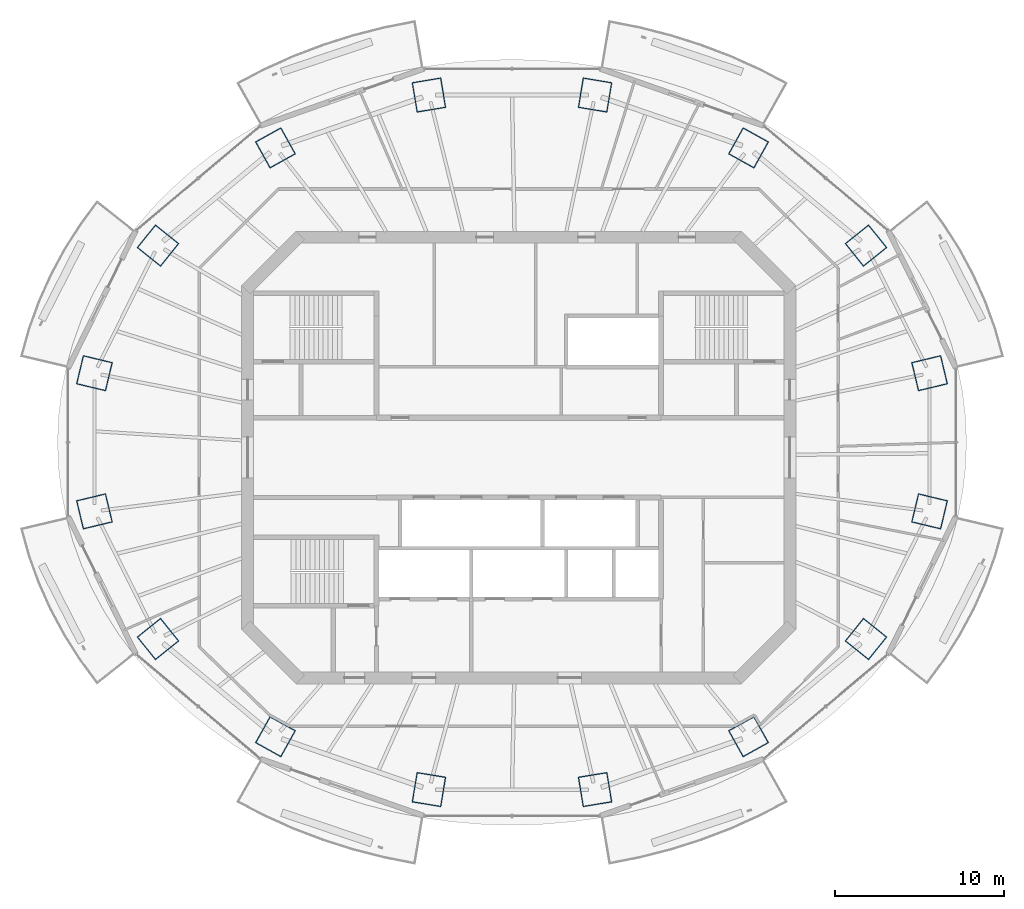
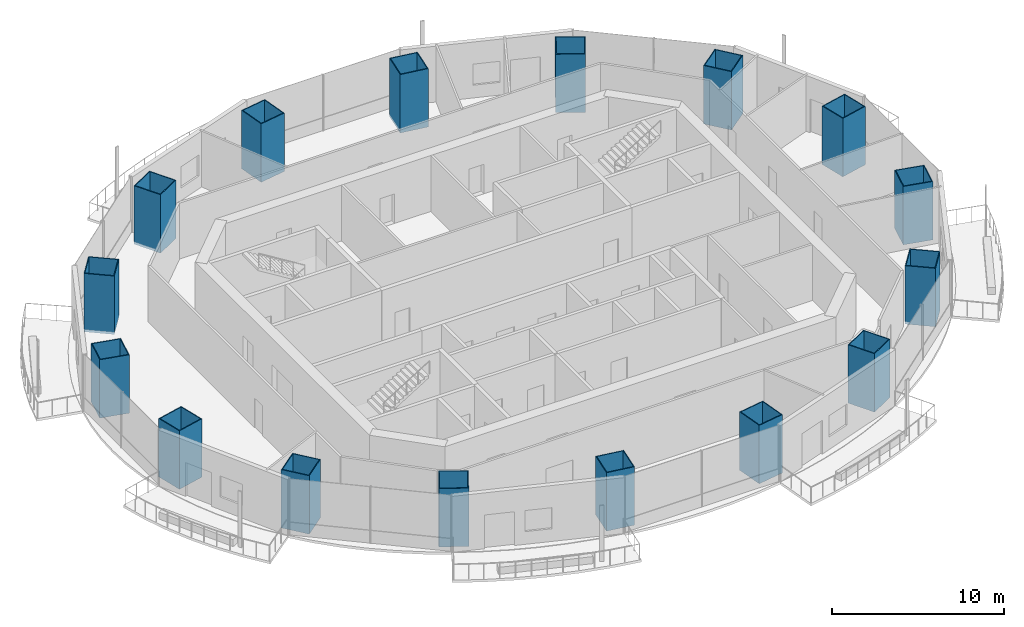
# One storey, part 1 of 16: 16 columns.
"""IFC4 building model written with IfcOpenShell, lengths in metres."""

from ifc_helpers import new_model, si_unit, direction, frame, origin, origin_2d, place, context, subcontext, project, spatial, rectangle, hollow_rectangle, extrude, material, material_profile, profile_set, type_object, element, save


model = new_model("IFC4")

# Units and contexts
model_context = context("Model", 3, precision=1e-05, world=origin(), true_north=direction((0.0, 1.0)))
body_context = subcontext(model_context, "Body", "Model", "MODEL_VIEW")
ifc_project = project(units=[si_unit("LENGTHUNIT", "METRE"), si_unit("AREAUNIT", "SQUARE_METRE"), si_unit("VOLUMEUNIT", "CUBIC_METRE"), si_unit("PLANEANGLEUNIT", "RADIAN"), si_unit("MASSUNIT", "GRAM", prefix="KILO")], contexts=[model_context])

# Site, building, storey
site_placement = place(None, origin())
site = spatial("IfcSite", under=ifc_project, at=site_placement, CompositionType="ELEMENT")
building_placement = place(site_placement, origin())
building = spatial("IfcBuilding", under=site, at=building_placement, Name="Marenthal Gate Tower", CompositionType="ELEMENT")
storey_placement = place(building_placement, frame((0.0, 0.0, 346.75)))
storey = spatial("IfcBuildingStorey", under=building, at=storey_placement, Name="L78", CompositionType="ELEMENT", Elevation=346.75)

# Columns
ifc_material_1 = material(Name="Steel S460", Category="steel")
ifc_material_profile_1 = material_profile(ifc_material_1, hollow_rectangle(XDim=1.75, YDim=1.800048828125, WallThickness=0.054931640625, at=origin_2d()), Name="CFT BOX 1800X1750X55")
ifc_material_2 = material(Name="Concrete 70 MPa", Category="concrete")
ifc_material_profile_2 = material_profile(ifc_material_2, rectangle(XDim=1.639892578125, YDim=1.68994140625, at=origin_2d()), Name="CFT BOX 1800X1750X55 INFILL")
ifc_profile_set = profile_set([ifc_material_profile_1, ifc_material_profile_2], Name="Steel S460 shell, Concrete 70 MPa infill")
column_type = type_object("IfcColumnType", Name="CFT BOX 1800X1750X55", PredefinedType="COLUMN", material=ifc_profile_set)
for number, where, z_axis, x_axis, name in (
    (1, (24.244140625, 4.9765625, -0.179931640625), (0.0, 0.0, 1.0), (0.232625578969, -0.97256636792, 0.0), "COL-L78-01"),
    (2, (20.4921875, 12.50927734375, -0.179931640625), (0.0, 0.0, 1.0), (0.626343978095, -0.779546804947, 0.0), "COL-L78-02"),
    (3, (13.559814453125, 18.2744140625, -0.179931640625), (0.0, 0.0, 1.0), (0.87411577494, -0.485717625787, 0.0), "COL-L78-03"),
    (4, (4.501953125, 21.39453125, -0.179931640625), (0.0, 0.0, 1.0), (0.986592962803, -0.163200262709, 0.0), "COL-L78-04"),
    (5, (-5.302001953125, 21.39453125, -0.179931640625), (0.0, 0.0, 1.0), (0.986592962803, 0.163200262709, 0.0), "COL-L78-05"),
    (6, (-14.35986328125, 18.2744140625, -0.179931640625), (0.0, 0.0, 1.0), (0.87411577494, 0.485717625787, 0.0), "COL-L78-06"),
    (7, (-21.292236328125, 12.50927734375, -0.179931640625), (0.0, 0.0, 1.0), (0.626343978095, 0.779546804947, 0.0), "COL-L78-07"),
    (8, (-25.044189453125, 4.9765625, -0.179931640625), (0.0, 0.0, 1.0), (0.232625578969, 0.97256636792, 0.0), "COL-L78-08"),
    (9, (-25.044189453125, -3.176513671875, -0.179931640625), (0.0, 0.0, 1.0), (-0.232625578969, 0.97256636792, 0.0), "COL-L78-09"),
    (10, (-21.292236328125, -10.709228515625, -0.179931640625), (0.0, 0.0, 1.0), (-0.626343978095, 0.779546804947, 0.0), "COL-L78-10"),
    (11, (-14.35986328125, -16.474365234375, -0.179931640625), (0.0, 0.0, 1.0), (-0.87411577494, 0.485717625787, 0.0), "COL-L78-11"),
    (12, (-5.302001953125, -19.594482421875, -0.179931640625), (0.0, 0.0, 1.0), (-0.986592962803, 0.163200262709, 0.0), "COL-L78-12"),
    (13, (4.501953125, -19.594482421875, -0.179931640625), (0.0, 0.0, 1.0), (-0.986592962803, -0.163200262709, 0.0), "COL-L78-13"),
    (14, (13.559814453125, -16.474365234375, -0.179931640625), (0.0, 0.0, 1.0), (-0.87411577494, -0.485717625787, 0.0), "COL-L78-14"),
    (15, (20.4921875, -10.709228515625, -0.179931640625), (0.0, 0.0, 1.0), (-0.626343978095, -0.779546804947, 0.0), "COL-L78-15"),
    (16, (24.244140625, -3.176513671875, -0.179931640625), (0.0, 0.0, 1.0), (-0.232625578969, -0.97256636792, 0.0), "COL-L78-16"),
):
    element("IfcColumn", number, at=place(storey_placement, frame(where, z_axis=z_axis, x_axis=x_axis)), inside=storey, type_object=column_type, Name=name, PredefinedType="COLUMN", context=body_context, shape_type="SweptSolid", body=[
        extrude(hollow_rectangle(XDim=1.75, YDim=1.800048828125, WallThickness=0.054931640625, at=origin_2d()), origin(), (0.0, 0.0, 1.0), 4.14990234375),
    ])

save(model, "model.ifc")
